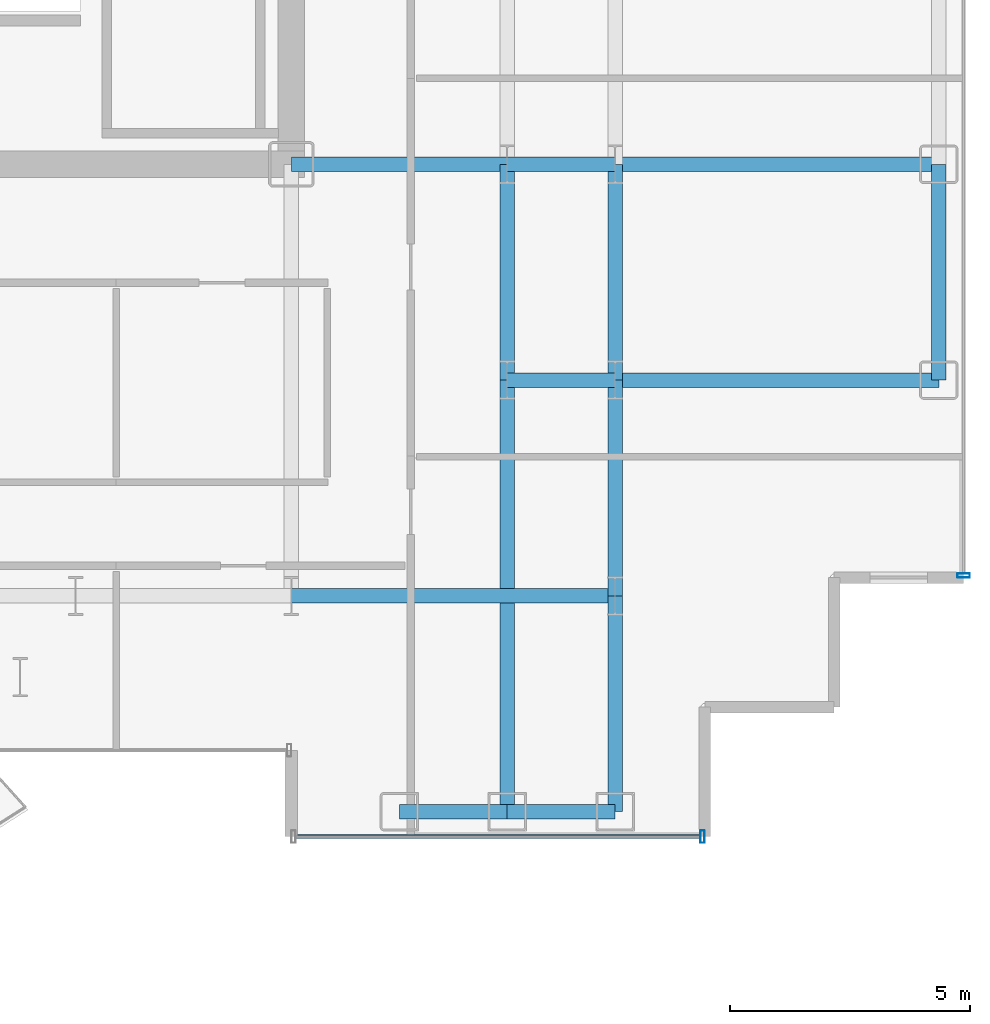
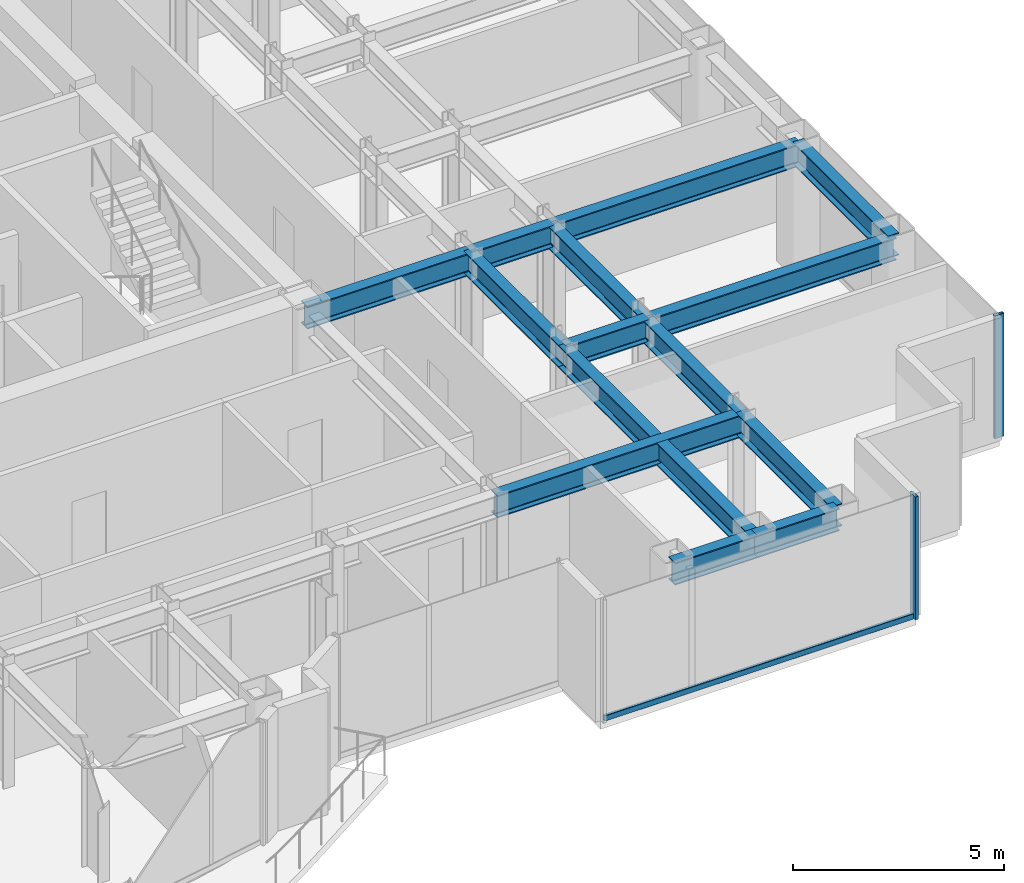
# One storey, part 8 of 23: 14 beams, 3 members, 2 elements without a shape of their own.
"""IFC4 building model written with IfcOpenShell, lengths in metres."""

import ifcopenshell
import ifcopenshell.guid

model = None  # the IFC model being written
_history = None  # IfcOwnerHistory: only IFC2X3 demands one
_inside = {}  # id of a spatial element -> (the spatial element, [elements in it])
_under = {}  # id of a project, library or spatial element -> (it, [spatial elements below it])
_declared = {}  # id of a project -> (the project, [libraries it declares])
_typed = {}  # id of a type object -> (the type object, [elements of that type])
_made_of = {}  # id of a material, layer set ... -> (it, [elements and type objects made of it])


def new_model(schema):
    """Start an empty IFC model of exactly this schema.

    Asked for "IFC4X3", IfcOpenShell would pick the latest addendum, in which some entities
    have other attributes; the version numbers below select the first issue.
    IFC2X3 requires an IfcOwnerHistory on every rooted entity: one is made here for all.
    """
    global model, _history
    if schema == "IFC4X3":
        model = ifcopenshell.file(schema_version=(4, 3, 0, 0))
    else:
        model = ifcopenshell.file(schema=schema)
    _inside.clear()
    _under.clear()
    _declared.clear()
    _typed.clear()
    _made_of.clear()
    _history = None
    if model.schema == "IFC2X3":
        org = make("IfcOrganization", Name="unknown")
        user = make(
            "IfcPersonAndOrganization",
            ThePerson=make("IfcPerson", FamilyName="unknown"),
            TheOrganization=org,
        )
        app = make(
            "IfcApplication",
            ApplicationDeveloper=org,
            Version="unknown",
            ApplicationFullName="unknown",
            ApplicationIdentifier="unknown",
        )
        _history = make(
            "IfcOwnerHistory",
            OwningUser=user,
            OwningApplication=app,
            ChangeAction="ADDED",
            CreationDate=0,
        )
    return model


def make(cls, **values):
    """One entity of the class cls with the attributes given. An attribute that is None is left unset."""
    return model.create_entity(
        cls, **{name: value for name, value in values.items() if value is not None}
    )


def rooted(cls, **values):
    """An entity with a GlobalId (a new one), such as an element, a storey or a relation."""
    return make(cls, GlobalId=ifcopenshell.guid.new(), OwnerHistory=_history, **values)


def si_unit(unit_type, name, prefix=None):
    """IfcSIUnit, for example si_unit("LENGTHUNIT", "METRE", prefix="MILLI")."""
    return make("IfcSIUnit", UnitType=unit_type, Prefix=prefix, Name=name)


def assignment(units):
    """IfcUnitAssignment: the units of a project."""
    return None if units is None else make("IfcUnitAssignment", Units=units)


def point(xyz):
    """IfcCartesianPoint."""
    return None if xyz is None else make("IfcCartesianPoint", Coordinates=xyz)


def direction(xyz):
    """IfcDirection."""
    return None if xyz is None else make("IfcDirection", DirectionRatios=xyz)


def frame(location, z_axis=None, x_axis=None):
    """IfcAxis2Placement3D, a coordinate frame: its origin and axes. An axis left out is left unset."""
    return make(
        "IfcAxis2Placement3D",
        Location=point(location),
        Axis=direction(z_axis),
        RefDirection=direction(x_axis),
    )


def frame_2d(location, x_axis=None):
    """IfcAxis2Placement2D, a coordinate frame in the plane: its origin and x axis."""
    return make(
        "IfcAxis2Placement2D", Location=point(location), RefDirection=direction(x_axis)
    )


def origin():
    """The frame at (0, 0, 0) with its axes left unset."""
    return frame((0.0, 0.0, 0.0))


def origin_2d():
    """The frame at (0, 0) in the plane with its x axis left unset."""
    return frame_2d((0.0, 0.0))


def place(relative_to, where):
    """IfcLocalPlacement: puts the frame where relative to a parent placement (None: the world)."""
    return make(
        "IfcLocalPlacement", PlacementRelTo=relative_to, RelativePlacement=where
    )


def context(
    kind, dimensions, precision=None, world=None, true_north=None, identifier=None
):
    """IfcGeometricRepresentationContext, for example the 3D "Model" context."""
    return make(
        "IfcGeometricRepresentationContext",
        ContextIdentifier=identifier,
        ContextType=kind,
        CoordinateSpaceDimension=dimensions,
        Precision=precision,
        WorldCoordinateSystem=world,
        TrueNorth=true_north,
    )


def subcontext(parent, identifier, kind, view, scale=None):
    """IfcGeometricRepresentationSubContext, for example "Body" below "Model"."""
    return make(
        "IfcGeometricRepresentationSubContext",
        ContextIdentifier=identifier,
        ContextType=kind,
        ParentContext=parent,
        TargetScale=scale,
        TargetView=view,
    )


def project(units=None, contexts=None):
    """IfcProject with its units and contexts."""
    return rooted(
        "IfcProject",
        Name="project",
        RepresentationContexts=contexts,
        UnitsInContext=assignment(units),
    )


def spatial(cls, under=None, at=None, **own):
    """A site, building, storey or space (cls), placed at a placement, below another one or the project."""
    s = rooted(cls, ObjectPlacement=at, **own)
    if under is not None:
        _under.setdefault(under.id(), (under, []))[1].append(s)
    return s


def profile(cls, at=None, kind="AREA", **sizes):
    """A parametric profile (cls). Its sizes go by their IFC names, for example OverallWidth=200.0."""
    return make(cls, ProfileType=kind, Position=at, **sizes)


def hollow_rectangle(**sizes):
    """IfcRectangleHollowProfileDef."""
    return profile("IfcRectangleHollowProfileDef", **sizes)


def i_section(**sizes):
    """IfcIShapeProfileDef."""
    return profile("IfcIShapeProfileDef", **sizes)


def extrude(swept, where, along, depth):
    """IfcExtrudedAreaSolid: the profile swept, set in the frame where, extruded along a direction by depth."""
    return make(
        "IfcExtrudedAreaSolid",
        SweptArea=swept,
        Position=where,
        ExtrudedDirection=direction(along),
        Depth=depth,
    )


def shape(context_of_items, identifier, shape_type, items):
    """IfcShapeRepresentation: the items that make up one representation, for example the "Body"."""
    return make(
        "IfcShapeRepresentation",
        ContextOfItems=context_of_items,
        RepresentationIdentifier=identifier,
        RepresentationType=shape_type,
        Items=items,
    )


def source(mapping_origin, context_of_items, identifier, shape_type, items):
    """IfcRepresentationMap: a shape defined once, which mapped items show again and again."""
    return make(
        "IfcRepresentationMap",
        MappingOrigin=mapping_origin,
        MappedRepresentation=shape(context_of_items, identifier, shape_type, items),
    )


def transform(
    local_origin,
    x_axis=None,
    y_axis=None,
    z_axis=None,
    scale=None,
    scale2=None,
    scale3=None,
    uniform=True,
):
    """IfcCartesianTransformationOperator3D, or its non-uniform kind. x_axis, y_axis, z_axis: its Axis1, 2, 3."""
    if uniform:
        return make(
            "IfcCartesianTransformationOperator3D",
            Axis1=direction(x_axis),
            Axis2=direction(y_axis),
            LocalOrigin=point(local_origin),
            Scale=scale,
            Axis3=direction(z_axis),
        )
    return make(
        "IfcCartesianTransformationOperator3DnonUniform",
        Axis1=direction(x_axis),
        Axis2=direction(y_axis),
        LocalOrigin=point(local_origin),
        Scale=scale,
        Axis3=direction(z_axis),
        Scale2=scale2,
        Scale3=scale3,
    )


def mapped(mapping_source, mapping_target):
    """IfcMappedItem: shows the shape of a source again, moved by a transform."""
    return make(
        "IfcMappedItem", MappingSource=mapping_source, MappingTarget=mapping_target
    )


def material(Name=None, Category=None):
    """IfcMaterial."""
    return make("IfcMaterial", Name=Name, Category=Category)


def layer(
    of_material, thickness, ventilated=None, Name=None, Category=None, Priority=None
):
    """IfcMaterialLayer: one layer of a wall or slab, of a material (None: an air gap)."""
    return make(
        "IfcMaterialLayer",
        Material=of_material,
        LayerThickness=thickness,
        IsVentilated=ventilated,
        Name=Name,
        Category=Category,
        Priority=Priority,
    )


def layer_set(layers, Name=None):
    """IfcMaterialLayerSet."""
    return make("IfcMaterialLayerSet", MaterialLayers=layers, LayerSetName=Name)


def material_profile(
    of_material, cross_section, Name=None, Category=None, Priority=None
):
    """IfcMaterialProfile: a cross section and its material."""
    return make(
        "IfcMaterialProfile",
        Name=Name,
        Material=of_material,
        Profile=cross_section,
        Priority=Priority,
        Category=Category,
    )


def profile_set(profiles, Name=None, composite=None):
    """IfcMaterialProfileSet."""
    return make(
        "IfcMaterialProfileSet",
        Name=Name,
        MaterialProfiles=profiles,
        CompositeProfile=composite,
    )


def made_of(thing, what):
    """Note that an element or type object is made of a material, layer set ...; save() writes the relation."""
    if what is not None:
        _made_of.setdefault(what.id(), (what, []))[1].append(thing)
    return thing


def type_object(cls, material=None, **own):
    """A type object (cls), such as IfcWallType, which elements share."""
    return made_of(rooted(cls, **own), material)


def element(
    cls,
    number,
    at=None,
    inside=None,
    cuts=None,
    type_object=None,
    material=None,
    context=None,
    identifier="Body",
    shape_type=None,
    held_by="IfcProductDefinitionShape",
    body=None,
    shapes=None,
    **own,
):
    """One element of the class cls, such as IfcWall. Its Tag is "e" and its number.

    at: its placement. inside: the storey or other place that contains it. cuts: it is an
    opening in that element (IfcRelVoidsElement). A single representation is given by context,
    identifier, shape_type and body (its items); several are given by shapes. held_by: the class
    of the entity that holds the representations. save() writes the other relations.
    """
    e = rooted(cls, Tag="e%d" % number, ObjectPlacement=at, **own)
    if body is not None:
        shapes = [shape(context, identifier, shape_type, body)]
    if shapes is not None:
        e.Representation = make(held_by, Representations=shapes)
    if inside is not None:
        _inside.setdefault(inside.id(), (inside, []))[1].append(e)
    if cuts is not None:
        rooted(
            "IfcRelVoidsElement", RelatingBuildingElement=cuts, RelatedOpeningElement=e
        )
    if type_object is not None:
        _typed.setdefault(type_object.id(), (type_object, []))[1].append(e)
    return made_of(e, material)


def aggregate(whole, parts):
    """IfcRelAggregates: a whole, such as a stair, and the parts it consists of."""
    return rooted("IfcRelAggregates", RelatingObject=whole, RelatedObjects=parts)


def save(model, path):
    """Write the relations noted so far, then the file.

    IfcRelAggregates (storeys below a building ...), IfcRelContainedInSpatialStructure (elements
    in a storey), IfcRelDefinesByType, IfcRelAssociatesMaterial and IfcRelDeclares: one each for
    every whole, place, type object, material and project.
    """
    for whole, parts in _under.values():
        aggregate(whole, parts)
    for where, things in _inside.values():
        rooted(
            "IfcRelContainedInSpatialStructure",
            RelatedElements=things,
            RelatingStructure=where,
        )
    for kind, things in _typed.values():
        rooted("IfcRelDefinesByType", RelatedObjects=things, RelatingType=kind)
    for what, things in _made_of.values():
        rooted("IfcRelAssociatesMaterial", RelatedObjects=things, RelatingMaterial=what)
    for by, libraries in _declared.values():
        rooted("IfcRelDeclares", RelatingContext=by, RelatedDefinitions=libraries)
    model.write(path)


model = new_model("IFC4")

# Units and contexts
model_context = context("Model", 3, precision=1e-05, world=origin(), true_north=direction((0.0, 1.0)))
body_context = subcontext(model_context, "Body", "Model", "MODEL_VIEW")
ifc_project = project(units=[si_unit("LENGTHUNIT", "METRE"), si_unit("AREAUNIT", "SQUARE_METRE"), si_unit("VOLUMEUNIT", "CUBIC_METRE"), si_unit("PLANEANGLEUNIT", "RADIAN"), si_unit("MASSUNIT", "GRAM", prefix="KILO")], contexts=[model_context])

# Site, building, storey
site_placement = place(None, origin())
site = spatial("IfcSite", under=ifc_project, at=site_placement, CompositionType="ELEMENT")
building_placement = place(site_placement, origin())
building = spatial("IfcBuilding", under=site, at=building_placement, Name="Nefas-Gora Pilgrimage Tower", CompositionType="ELEMENT")
storey_placement = place(building_placement, frame((0.0, 0.0, 164.0)))
storey = spatial("IfcBuildingStorey", under=building, at=storey_placement, Name="L40", CompositionType="ELEMENT", Elevation=164.0)

# Beams
ifc_material_1 = material(Name="Steel S355", Category="steel")
ifc_material_profile_1 = material_profile(ifc_material_1, i_section(OverallWidth=0.300048828125, OverallDepth=0.64990234375, WebThickness=0.01611328125, FlangeThickness=0.031005859375, FilletRadius=0.027099609375, at=origin_2d()), Name="HEB 650")
ifc_profile_set_1 = profile_set([ifc_material_profile_1], Name="Steel S355")
beam_type_1 = type_object("IfcBeamType", Name="BM-SPN-HEB500", PredefinedType="SPANDREL", material=ifc_profile_set_1)
shared_shape_1 = source(origin(), body_context, "Body", "SweptSolid", [
    extrude(i_section(OverallWidth=0.300048828125, OverallDepth=0.64990234375, WebThickness=0.01611328125, FlangeThickness=0.031005859375, FilletRadius=0.027099609375, at=origin_2d()), origin(), (0.0, 0.0, 1.0), 4.5),
])
beam_1_placement = place(storey_placement, frame((24.75, -13.5, 3.22509765625), z_axis=(0.0, 1.0, 0.0), x_axis=(-1.0, 0.0, 0.0)))
element("IfcBeam", 1, at=beam_1_placement, inside=storey, type_object=beam_type_1, Name="L40 SP-02 beam", PredefinedType="SPANDREL", context=body_context, shape_type="MappedRepresentation", body=[
    mapped(shared_shape_1, transform((0.0, 0.0, 0.0), x_axis=(1.0, 0.0, 0.0), y_axis=(0.0, 1.0, 0.0), z_axis=(0.0, 0.0, 1.0), scale=1.0)),
])
ifc_material_profile_2 = material_profile(ifc_material_1, i_section(OverallWidth=0.300048828125, OverallDepth=0.64990234375, WebThickness=0.01611328125, FlangeThickness=0.031005859375, FilletRadius=0.027099609375, at=origin_2d()), Name="HEB 650")
ifc_profile_set_2 = profile_set([ifc_material_profile_2], Name="Steel S355")
beam_type_2 = type_object("IfcBeamType", Name="BM-GIR-HEB650", PredefinedType="BEAM", material=ifc_profile_set_2)
shared_shape_2 = source(origin(), body_context, "Body", "SweptSolid", [
    extrude(i_section(OverallWidth=0.300048828125, OverallDepth=0.64990234375, WebThickness=0.01611328125, FlangeThickness=0.031005859375, FilletRadius=0.027099609375, at=origin_2d()), origin(), (0.0, 0.0, 1.0), 9.0),
])
beam_2_placement = place(storey_placement, frame((15.75, -22.5, 3.22509765625), z_axis=(0.0, 1.0, 0.0), x_axis=(-1.0, 0.0, 0.0)))
element("IfcBeam", 2, at=beam_2_placement, inside=storey, type_object=beam_type_2, Name="L40 G-03 beam", PredefinedType="BEAM", context=body_context, shape_type="MappedRepresentation", body=[
    mapped(shared_shape_2, transform((0.0, 0.0, 0.0), x_axis=(1.0, 0.0, 0.0), y_axis=(0.0, 1.0, 0.0), z_axis=(0.0, 0.0, 1.0), scale=1.0)),
])
shared_shape_3 = source(origin(), body_context, "Body", "SweptSolid", [
    extrude(i_section(OverallWidth=0.300048828125, OverallDepth=0.64990234375, WebThickness=0.01611328125, FlangeThickness=0.031005859375, FilletRadius=0.027099609375, at=origin_2d()), origin(), (0.0, 0.0, 1.0), 4.5),
])
for number, where, z_axis, x_axis, name in (
    (3, (11.25, -9.0, 3.22509765625), (1.0, 0.0, 0.0), (0.0, 1.0, 0.0), "L40 G-03 beam"),
    (4, (15.75, -13.5, 3.22509765625), (0.0, 1.0, 0.0), (-1.0, 0.0, 0.0), "L40 G-03 beam"),
    (5, (18.0, -22.5, 3.22509765625), (0.0, 1.0, 0.0), (-1.0, 0.0, 0.0), "L40 G-03 beam"),
    (6, (18.0, -18.0, 3.22509765625), (0.0, 1.0, 0.0), (-1.0, 0.0, 0.0), "L40 G-03 beam"),
    (7, (18.0, -13.5, 3.22509765625), (0.0, 1.0, 0.0), (-1.0, 0.0, 0.0), "L40 G-03 beam"),
):
    element("IfcBeam", number, at=place(storey_placement, frame(where, z_axis=z_axis, x_axis=x_axis)), inside=storey, type_object=beam_type_2, Name=name, PredefinedType="BEAM", context=body_context, shape_type="MappedRepresentation", body=[
        mapped(shared_shape_3, transform((0.0, 0.0, 0.0), x_axis=(1.0, 0.0, 0.0), y_axis=(0.0, 1.0, 0.0), z_axis=(0.0, 0.0, 1.0), scale=1.0)),
    ])
shared_shape_4 = source(origin(), body_context, "Body", "SweptSolid", [
    extrude(i_section(OverallWidth=0.300048828125, OverallDepth=0.64990234375, WebThickness=0.01611328125, FlangeThickness=0.031005859375, FilletRadius=0.027099609375, at=origin_2d()), origin(), (0.0, 0.0, 1.0), 6.75),
])
for number, where, z_axis, x_axis, name in (
    (8, (11.25, -18.0, 3.22509765625), (1.0, 0.0, 0.0), (0.0, 1.0, 0.0), "L40 G-03 beam"),
    (9, (18.0, -13.5, 3.22509765625), (1.0, 0.0, 0.0), (0.0, 1.0, 0.0), "L40 G-03 beam"),
    (10, (18.0, -9.0, 3.22509765625), (1.0, 0.0, 0.0), (0.0, 1.0, 0.0), "L40 G-03 beam"),
):
    element("IfcBeam", number, at=place(storey_placement, frame(where, z_axis=z_axis, x_axis=x_axis)), inside=storey, type_object=beam_type_2, Name=name, PredefinedType="BEAM", context=body_context, shape_type="MappedRepresentation", body=[
        mapped(shared_shape_4, transform((0.0, 0.0, 0.0), x_axis=(1.0, 0.0, 0.0), y_axis=(0.0, 1.0, 0.0), z_axis=(0.0, 0.0, 1.0), scale=1.0)),
    ])
shared_shape_5 = source(origin(), body_context, "Body", "SweptSolid", [
    extrude(i_section(OverallWidth=0.300048828125, OverallDepth=0.64990234375, WebThickness=0.01611328125, FlangeThickness=0.031005859375, FilletRadius=0.027099609375, at=origin_2d()), origin(), (0.0, 0.0, 1.0), 2.25),
])
for number, where, z_axis, x_axis, name in (
    (11, (13.5, -22.5, 3.22509765625), (1.0, 0.0, 0.0), (0.0, 1.0, 0.0), "L40 SP-02 beam"),
    (12, (15.75, -22.5, 3.22509765625), (1.0, 0.0, 0.0), (0.0, 1.0, 0.0), "L40 SP-02 beam"),
):
    element("IfcBeam", number, at=place(storey_placement, frame(where, z_axis=z_axis, x_axis=x_axis)), inside=storey, type_object=beam_type_1, Name=name, PredefinedType="SPANDREL", context=body_context, shape_type="MappedRepresentation", body=[
        mapped(shared_shape_5, transform((0.0, 0.0, 0.0), x_axis=(1.0, 0.0, 0.0), y_axis=(0.0, 1.0, 0.0), z_axis=(0.0, 0.0, 1.0), scale=1.0)),
    ])
shared_shape_6 = source(origin(), body_context, "Body", "SweptSolid", [
    extrude(i_section(OverallWidth=0.300048828125, OverallDepth=0.64990234375, WebThickness=0.01611328125, FlangeThickness=0.031005859375, FilletRadius=0.027099609375, at=origin_2d()), origin(), (0.0, 0.0, 1.0), 2.25),
])
for number, where, z_axis, x_axis, name in (
    (13, (15.75, -13.5, 3.22509765625), (1.0, 0.0, 0.0), (0.0, 1.0, 0.0), "L40 G-03 beam"),
    (14, (15.75, -9.0, 3.22509765625), (1.0, 0.0, 0.0), (0.0, 1.0, 0.0), "L40 G-03 beam"),
):
    element("IfcBeam", number, at=place(storey_placement, frame(where, z_axis=z_axis, x_axis=x_axis)), inside=storey, type_object=beam_type_2, Name=name, PredefinedType="BEAM", context=body_context, shape_type="MappedRepresentation", body=[
        mapped(shared_shape_6, transform((0.0, 0.0, 0.0), x_axis=(1.0, 0.0, 0.0), y_axis=(0.0, 1.0, 0.0), z_axis=(0.0, 0.0, 1.0), scale=1.0)),
    ])

# Curtain wall, member
ifc_material_2 = material(Name="Dark ceramic-fritted solar-control aluminium-glass curtain wall", Category="aluminium")
ifc_layer = layer(ifc_material_2, 0.219970703125)
ifc_layer_set = layer_set([ifc_layer], Name="Dark ceramic-fritted solar-control aluminium-glass curtain wall")
curtain_wall_type = type_object("IfcCurtainWallType", Name="CW-SYS-3", PredefinedType="NOTDEFINED", material=ifc_layer_set)
curtain_wall_1_placement = place(storey_placement, origin())
curtain_wall_1 = element("IfcCurtainWall", 15, at=curtain_wall_1_placement, inside=storey, type_object=curtain_wall_type, Name="L40 Unitised Curtain Wall CW3", PredefinedType="NOTDEFINED")
ifc_material_3 = material(Name="Anodised architectural aluminium", Category="aluminium")
ifc_material_profile_3 = material_profile(ifc_material_3, hollow_rectangle(XDim=0.090087890625, YDim=0.260009765625, WallThickness=0.006103515625, InnerFilletRadius=0.006103515625, OuterFilletRadius=0.011962890625, at=origin_2d()), Name="ALU MULLION 90x260")
ifc_profile_set_3 = profile_set([ifc_material_profile_3], Name="Anodised architectural aluminium")
member_type_1 = type_object("IfcMemberType", Name="CWM-MUL-3", PredefinedType="MULLION", material=ifc_profile_set_3)
shared_shape_7 = source(origin(), body_context, "Body", "SweptSolid", [
    extrude(hollow_rectangle(XDim=0.090087890625, YDim=0.260009765625, WallThickness=0.006103515625, InnerFilletRadius=0.006103515625, OuterFilletRadius=0.011962890625, at=origin_2d()), origin(), (0.0, 0.0, 1.0), 3.550048828125),
])
member_1_placement = place(storey_placement, frame((19.824951171875, -23.02001953125, 0.0), z_axis=(0.0, 0.0, 1.0), x_axis=(1.0, 0.0, 0.0)))
member_1 = element("IfcMember", 16, at=member_1_placement, type_object=member_type_1, Name="CW3 Mullion 2", PredefinedType="MULLION", context=body_context, shape_type="MappedRepresentation", body=[
    mapped(shared_shape_7, transform((0.0, 0.0, 0.0), x_axis=(1.0, 0.0, 0.0), y_axis=(0.0, 1.0, 0.0), z_axis=(0.0, 0.0, 1.0), scale=1.0)),
])

curtain_wall_2_placement = place(storey_placement, origin())
curtain_wall_2 = element("IfcCurtainWall", 17, at=curtain_wall_2_placement, inside=storey, type_object=curtain_wall_type, Name="L40 Unitised Curtain Wall CW3", PredefinedType="NOTDEFINED")
member_2_placement = place(storey_placement, frame((25.27001953125, -17.574951171875, 0.0), z_axis=(0.0, 0.0, 1.0), x_axis=(0.0, 1.0, 0.0)))
member_2 = element("IfcMember", 18, at=member_2_placement, type_object=member_type_1, Name="CW3 Mullion 1", PredefinedType="MULLION", context=body_context, shape_type="MappedRepresentation", body=[
    mapped(shared_shape_7, transform((0.0, 0.0, 0.0), x_axis=(1.0, 0.0, 0.0), y_axis=(0.0, 1.0, 0.0), z_axis=(0.0, 0.0, 1.0), scale=1.0)),
])
aggregate(curtain_wall_2, [member_2])

# Member
ifc_material_profile_4 = material_profile(ifc_material_3, hollow_rectangle(XDim=0.080078125, YDim=0.159912109375, WallThickness=0.00439453125, InnerFilletRadius=0.00439453125, OuterFilletRadius=0.009033203125, at=origin_2d()), Name="ALU TRANSOM 80x160")
ifc_profile_set_4 = profile_set([ifc_material_profile_4], Name="Anodised architectural aluminium")
member_type_2 = type_object("IfcMemberType", Name="CWM-TRN-3", PredefinedType="USERDEFINED", material=ifc_profile_set_4)
shared_shape_8 = source(origin(), body_context, "Body", "SweptSolid", [
    extrude(hollow_rectangle(XDim=0.080078125, YDim=0.159912109375, WallThickness=0.00439453125, InnerFilletRadius=0.00439453125, OuterFilletRadius=0.009033203125, at=origin_2d()), origin(), (0.0, 0.0, 1.0), 8.43994140625),
])
member_3_placement = place(storey_placement, frame((11.340087890625, -23.02001953125, 0.050048828125), z_axis=(1.0, 0.0, 0.0), x_axis=(0.0, 1.0, 0.0)))
member_3 = element("IfcMember", 19, at=member_3_placement, type_object=member_type_2, Name="CW3 Spandrel Transom", ObjectType="TRANSOM", PredefinedType="USERDEFINED", context=body_context, shape_type="MappedRepresentation", body=[
    mapped(shared_shape_8, transform((0.0, 0.0, 0.0), x_axis=(1.0, 0.0, 0.0), y_axis=(0.0, 1.0, 0.0), z_axis=(0.0, 0.0, 1.0), scale=1.0)),
])

aggregate(curtain_wall_1, [member_1, member_3])

save(model, "model.ifc")
